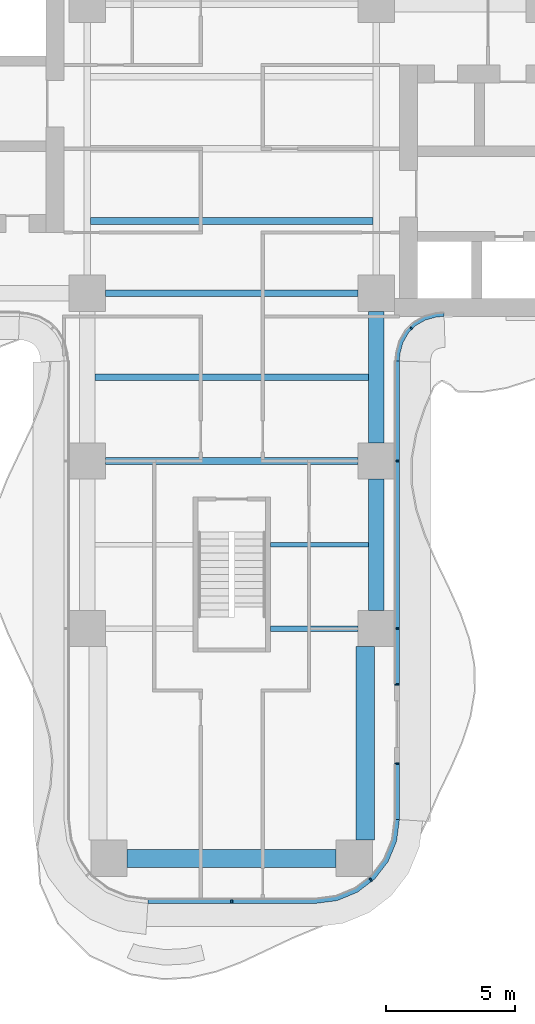
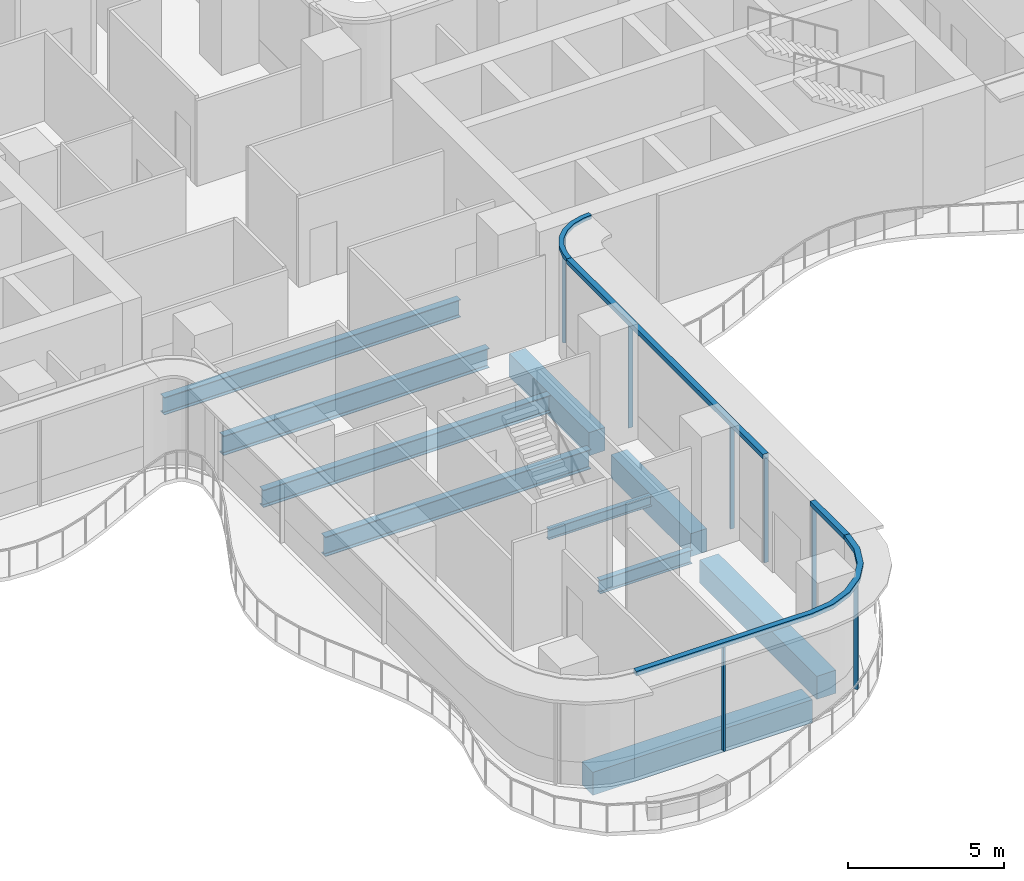
# One storey, part 5 of 22: 11 members, 10 beams, 4 elements without a shape of their own.
"""IFC4 building model written with IfcOpenShell, lengths in metres."""

from ifc_helpers import new_model, si_unit, direction, frame, origin, origin_2d, place, context, subcontext, project, spatial, polyline, rectangle, i_section, outline, extrude, source, transform, mapped, material, layer, layer_set, material_profile, profile_set, type_object, element, aggregate, save


model = new_model("IFC4")

# Units and contexts
model_context = context("Model", 3, precision=1e-05, world=origin(), true_north=direction((0.0, 1.0)))
body_context = subcontext(model_context, "Body", "Model", "MODEL_VIEW")
ifc_project = project(units=[si_unit("LENGTHUNIT", "METRE"), si_unit("AREAUNIT", "SQUARE_METRE"), si_unit("VOLUMEUNIT", "CUBIC_METRE"), si_unit("PLANEANGLEUNIT", "RADIAN"), si_unit("MASSUNIT", "GRAM", prefix="KILO")], contexts=[model_context])

# Site, building, storey
site_placement = place(None, origin())
site = spatial("IfcSite", under=ifc_project, at=site_placement, CompositionType="ELEMENT")
building_placement = place(site_placement, origin())
building = spatial("IfcBuilding", under=site, at=building_placement, Name="Trellis Farm Tower", CompositionType="ELEMENT")
storey_placement = place(building_placement, frame((0.0, 0.0, 70.0)))
storey = spatial("IfcBuildingStorey", under=building, at=storey_placement, Name="L14", CompositionType="ELEMENT", Elevation=70.0)

# Beams
ifc_material_1 = material(Name="Steel S355", Category="steel")
ifc_material_profile_1 = material_profile(ifc_material_1, i_section(OverallWidth=0.253662109375, OverallDepth=0.68359375, WebThickness=0.012451171875, FlangeThickness=0.021728515625, FilletRadius=0.01513671875, at=origin_2d()), Name="UB 686x254x140")
ifc_profile_set_1 = profile_set([ifc_material_profile_1], Name="Steel S355")
beam_type_1 = type_object("IfcBeamType", Name="UB 686x254x140 joist", PredefinedType="JOIST", material=ifc_profile_set_1)
shared_shape_1 = source(origin(), body_context, "Body", "SweptSolid", [
    extrude(i_section(OverallWidth=0.253662109375, OverallDepth=0.68359375, WebThickness=0.012451171875, FlangeThickness=0.021728515625, FilletRadius=0.01513671875, at=origin_2d()), origin(), (0.0, 0.0, 1.0), 10.93310546875),
])
beam_1_placement = place(storey_placement, frame((-5.466552734375, -2.800048828125, -0.591796875), z_axis=(1.0, 0.0, 0.0), x_axis=(0.0, 1.0, 0.0)))
element("IfcBeam", 1, at=beam_1_placement, inside=storey, type_object=beam_type_1, Name="Floor beam", PredefinedType="JOIST", context=body_context, shape_type="MappedRepresentation", body=[
    mapped(shared_shape_1, transform((0.0, 0.0, 0.0))),
])
ifc_material_profile_2 = material_profile(ifc_material_1, i_section(OverallWidth=0.209228515625, OverallDepth=0.533203125, WebThickness=0.010009765625, FlangeThickness=0.015625, FilletRadius=0.0126953125, at=origin_2d()), Name="UB 533x210x92")
ifc_profile_set_2 = profile_set([ifc_material_profile_2], Name="Steel S355")
beam_type_2 = type_object("IfcBeamType", Name="UB 533x210x92", PredefinedType="BEAM", material=ifc_profile_set_2)
shared_shape_2 = source(origin(), body_context, "Body", "SweptSolid", [
    extrude(i_section(OverallWidth=0.209228515625, OverallDepth=0.533203125, WebThickness=0.010009765625, FlangeThickness=0.015625, FilletRadius=0.0126953125, at=origin_2d()), origin(), (0.0, 0.0, 1.0), 3.39990234375),
])
beam_2_placement = place(storey_placement, frame((1.5, -18.60009765625, -0.5166015625), z_axis=(1.0, 0.0, 0.0), x_axis=(0.0, 1.0, 0.0)))
element("IfcBeam", 2, at=beam_2_placement, inside=storey, type_object=beam_type_2, Name="Girder", PredefinedType="BEAM", context=body_context, shape_type="MappedRepresentation", body=[
    mapped(shared_shape_2, transform((0.0, 0.0, 0.0))),
])
ifc_material_2 = material(Name="Concrete C60/75", Category="concrete")
ifc_material_profile_3 = material_profile(ifc_material_2, rectangle(XDim=0.60009765625, YDim=0.89990234375, at=origin_2d()), Name="RC spandrel beam 600x900 C60/75")
ifc_profile_set_3 = profile_set([ifc_material_profile_3], Name="Concrete C60/75")
beam_type_3 = type_object("IfcBeamType", Name="RC spandrel beam 600x900 C60/75", PredefinedType="SPANDREL", material=ifc_profile_set_3)
shared_shape_3 = source(origin(), body_context, "Body", "SweptSolid", [
    extrude(rectangle(XDim=0.60009765625, YDim=0.89990234375, at=origin_2d()), origin(), (0.0, 0.0, 1.0), 5.099853515625),
])
for number, where, z_axis, x_axis, name in (
    (3, (5.60009765625, -17.89990234375, -0.699951171875), (0.0, 1.0, 0.0), (-1.0, 0.0, 0.0), "Girder"),
    (4, (5.60009765625, -11.39990234375, -0.699951171875), (0.0, 1.0, 0.0), (-1.0, 0.0, 0.0), "Girder"),
):
    element("IfcBeam", number, at=place(storey_placement, frame(where, z_axis=z_axis, x_axis=x_axis)), inside=storey, type_object=beam_type_3, Name=name, PredefinedType="SPANDREL", context=body_context, shape_type="MappedRepresentation", body=[
        mapped(shared_shape_3, transform((0.0, 0.0, 0.0))),
    ])
ifc_material_profile_4 = material_profile(ifc_material_1, i_section(OverallWidth=0.2666015625, OverallDepth=0.76220703125, WebThickness=0.014404296875, FlangeThickness=0.021484375, FilletRadius=0.0166015625, at=origin_2d()), Name="UB 762x267x173")
ifc_profile_set_4 = profile_set([ifc_material_profile_4], Name="Steel S355")
beam_type_4 = type_object("IfcBeamType", Name="UB 762x267x173", PredefinedType="BEAM", material=ifc_profile_set_4)
shared_shape_4 = source(origin(), body_context, "Body", "SweptSolid", [
    extrude(i_section(OverallWidth=0.2666015625, OverallDepth=0.76220703125, WebThickness=0.014404296875, FlangeThickness=0.021484375, FilletRadius=0.0166015625, at=origin_2d()), origin(), (0.0, 0.0, 1.0), 9.7998046875),
])
for number, where, z_axis, x_axis, name in (
    (5, (-4.89990234375, -12.10009765625, -0.631103515625), (1.0, 0.0, 0.0), (0.0, 1.0, 0.0), "Girder"),
    (6, (-4.89990234375, -5.60009765625, -0.631103515625), (1.0, 0.0, 0.0), (0.0, 1.0, 0.0), "Girder"),
):
    element("IfcBeam", number, at=place(storey_placement, frame(where, z_axis=z_axis, x_axis=x_axis)), inside=storey, type_object=beam_type_4, Name=name, PredefinedType="BEAM", context=body_context, shape_type="MappedRepresentation", body=[
        mapped(shared_shape_4, transform((0.0, 0.0, 0.0))),
    ])
ifc_material_profile_5 = material_profile(ifc_material_2, rectangle(XDim=0.699951171875, YDim=0.89990234375, at=origin_2d()), Name="RC spandrel beam 700x900 C60/75")
ifc_profile_set_5 = profile_set([ifc_material_profile_5], Name="Concrete C60/75")
beam_type_5 = type_object("IfcBeamType", Name="RC spandrel beam 700x900 C60/75", PredefinedType="SPANDREL", material=ifc_profile_set_5)
shared_shape_5 = source(origin(), body_context, "Body", "SweptSolid", [
    extrude(rectangle(XDim=0.699951171875, YDim=0.89990234375, at=origin_2d()), origin(), (0.0, 0.0, 1.0), 8.10009765625),
])
beam_3_placement = place(storey_placement, frame((-4.050048828125, -27.5, -0.699951171875), z_axis=(1.0, 0.0, 0.0), x_axis=(0.0, 1.0, 0.0)))
element("IfcBeam", 7, at=beam_3_placement, inside=storey, type_object=beam_type_5, Name="Girder", PredefinedType="SPANDREL", context=body_context, shape_type="MappedRepresentation", body=[
    mapped(shared_shape_5, transform((0.0, 0.0, 0.0))),
])
shared_shape_6 = source(origin(), body_context, "Body", "SweptSolid", [
    extrude(rectangle(XDim=0.699951171875, YDim=0.89990234375, at=origin_2d()), origin(), (0.0, 0.0, 1.0), 7.5),
])
beam_4_placement = place(storey_placement, frame((5.175048828125, -26.800048828125, -0.699951171875), z_axis=(0.0, 1.0, 0.0), x_axis=(-1.0, 0.0, 0.0)))
element("IfcBeam", 8, at=beam_4_placement, inside=storey, type_object=beam_type_5, Name="Girder", PredefinedType="SPANDREL", context=body_context, shape_type="MappedRepresentation", body=[
    mapped(shared_shape_6, transform((0.0, 0.0, 0.0))),
])
ifc_material_profile_6 = material_profile(ifc_material_1, i_section(OverallWidth=0.177978515625, OverallDepth=0.406494140625, WebThickness=0.0078125, FlangeThickness=0.0126953125, FilletRadius=0.01025390625, at=origin_2d()), Name="UB 406x178x60")
ifc_profile_set_6 = profile_set([ifc_material_profile_6], Name="Steel S355")
beam_type_6 = type_object("IfcBeamType", Name="UB 406x178x60 joist", PredefinedType="JOIST", material=ifc_profile_set_6)
shared_shape_7 = source(origin(), body_context, "Body", "SweptSolid", [
    extrude(i_section(OverallWidth=0.177978515625, OverallDepth=0.406494140625, WebThickness=0.0078125, FlangeThickness=0.0126953125, FilletRadius=0.01025390625, at=origin_2d()), origin(), (0.0, 0.0, 1.0), 3.800048828125),
])
beam_5_placement = place(storey_placement, frame((1.5, -15.35009765625, -0.453125), z_axis=(1.0, 0.0, 0.0), x_axis=(0.0, 1.0, 0.0)))
element("IfcBeam", 9, at=beam_5_placement, inside=storey, type_object=beam_type_6, Name="Floor beam", PredefinedType="JOIST", context=body_context, shape_type="MappedRepresentation", body=[
    mapped(shared_shape_7, transform((0.0, 0.0, 0.0))),
])
shared_shape_8 = source(origin(), body_context, "Body", "SweptSolid", [
    extrude(i_section(OverallWidth=0.253662109375, OverallDepth=0.68359375, WebThickness=0.012451171875, FlangeThickness=0.021728515625, FilletRadius=0.01513671875, at=origin_2d()), origin(), (0.0, 0.0, 1.0), 10.60009765625),
])
beam_6_placement = place(storey_placement, frame((-5.300048828125, -8.85009765625, -0.591796875), z_axis=(1.0, 0.0, 0.0), x_axis=(0.0, 1.0, 0.0)))
element("IfcBeam", 10, at=beam_6_placement, inside=storey, type_object=beam_type_1, Name="Floor beam", PredefinedType="JOIST", context=body_context, shape_type="MappedRepresentation", body=[
    mapped(shared_shape_8, transform((0.0, 0.0, 0.0))),
])

# Curtain wall, members
ifc_material_3 = material(Name="Aluminium and glass curtain wall", Category="aluminium")
ifc_layer_1 = layer(ifc_material_3, 0.18994140625)
ifc_layer_set_1 = layer_set([ifc_layer_1], Name="RIBBON CURTAIN WALL CW1")
curtain_wall_type_1 = type_object("IfcCurtainWallType", Name="RIBBON CURTAIN WALL CW1", PredefinedType="NOTDEFINED", material=ifc_layer_set_1)
placement_1 = place(storey_placement, origin())
curtain_wall_1 = element("IfcCurtainWall", 11, at=placement_1, inside=storey, type_object=curtain_wall_type_1, Name="CW1 003", PredefinedType="NOTDEFINED")
ifc_material_4 = material(Name="Aluminium extrusion 6063-T6", Category="aluminium")
ifc_material_profile_7 = material_profile(ifc_material_4, rectangle(XDim=0.06005859375, YDim=0.14990234375, at=origin_2d()), Name="MULLION 60x150")
ifc_profile_set_7 = profile_set([ifc_material_profile_7], Name="Aluminium extrusion 6063-T6")
member_type_1 = type_object("IfcMemberType", Name="CW1 MULLION 60x150", PredefinedType="MULLION", material=ifc_profile_set_7)
shared_shape_9 = source(origin(), body_context, "Body", "SweptSolid", [
    extrude(rectangle(XDim=0.06005859375, YDim=0.14990234375, at=origin_2d()), origin(), (0.0, 0.0, 1.0), 4.070068359375),
])
member_1_placement = place(storey_placement, frame((0.0, -29.175048828125, 0.0), z_axis=(0.0, 0.0, 1.0), x_axis=(1.0, 0.0, 0.0)))
member_1 = element("IfcMember", 12, at=member_1_placement, type_object=member_type_1, Name="MU1 003-01", PredefinedType="MULLION", context=body_context, shape_type="MappedRepresentation", body=[
    mapped(shared_shape_9, transform((0.0, 0.0, 0.0))),
])
member_2_placement = place(storey_placement, frame((5.385498046875, -28.328369140625, 0.0), z_axis=(0.0, 0.0, 1.0), x_axis=(0.793353340291, 0.608761429009, 0.0)))
member_2 = element("IfcMember", 13, at=member_2_placement, type_object=member_type_1, Name="MU1 003-02", PredefinedType="MULLION", context=body_context, shape_type="MappedRepresentation", body=[
    mapped(shared_shape_9, transform((0.0, 0.0, 0.0))),
])

# Curtain wall, member
curtain_wall_2 = element("IfcCurtainWall", 14, at=placement_1, inside=storey, type_object=curtain_wall_type_1, Name="CW1 004", PredefinedType="NOTDEFINED")
member_3_placement = place(storey_placement, frame((6.425048828125, -23.830078125, 0.0), z_axis=(0.0, 0.0, 1.0), x_axis=(0.0, 1.0, 0.0)))
member_3 = element("IfcMember", 15, at=member_3_placement, type_object=member_type_1, Name="MU1 004-01", PredefinedType="MULLION", context=body_context, shape_type="MappedRepresentation", body=[
    mapped(shared_shape_9, transform((0.0, 0.0, 0.0))),
])

# Curtain wall, members
curtain_wall_3 = element("IfcCurtainWall", 16, at=placement_1, inside=storey, type_object=curtain_wall_type_1, Name="CW1 005", PredefinedType="NOTDEFINED")
member_4_placement = place(storey_placement, frame((6.425048828125, -20.77001953125, 0.0), z_axis=(0.0, 0.0, 1.0), x_axis=(0.0, 1.0, 0.0)))
member_4 = element("IfcMember", 17, at=member_4_placement, type_object=member_type_1, Name="MU1 005-01", PredefinedType="MULLION", context=body_context, shape_type="MappedRepresentation", body=[
    mapped(shared_shape_9, transform((0.0, 0.0, 0.0))),
])
member_5_placement = place(storey_placement, frame((6.425048828125, -18.60009765625, 0.0), z_axis=(0.0, 0.0, 1.0), x_axis=(0.0, 1.0, 0.0)))
member_5 = element("IfcMember", 18, at=member_5_placement, type_object=member_type_1, Name="MU1 005-02", PredefinedType="MULLION", context=body_context, shape_type="MappedRepresentation", body=[
    mapped(shared_shape_9, transform((0.0, 0.0, 0.0))),
])
member_6_placement = place(storey_placement, frame((6.425048828125, -12.10009765625, 0.0), z_axis=(0.0, 0.0, 1.0), x_axis=(0.0, 1.0, 0.0)))
member_6 = element("IfcMember", 19, at=member_6_placement, type_object=member_type_1, Name="MU1 005-03", PredefinedType="MULLION", context=body_context, shape_type="MappedRepresentation", body=[
    mapped(shared_shape_9, transform((0.0, 0.0, 0.0))),
])

# Curtain wall, member
ifc_layer_2 = layer(ifc_material_3, 0.166015625)
ifc_layer_set_2 = layer_set([ifc_layer_2], Name="WINTER GARDEN CURTAIN WALL CW3")
curtain_wall_type_2 = type_object("IfcCurtainWallType", Name="WINTER GARDEN CURTAIN WALL CW3", PredefinedType="NOTDEFINED", material=ifc_layer_set_2)
curtain_wall_4 = element("IfcCurtainWall", 20, at=placement_1, inside=storey, type_object=curtain_wall_type_2, Name="CW3 002", PredefinedType="NOTDEFINED")
ifc_material_profile_8 = material_profile(ifc_material_4, rectangle(XDim=0.050048828125, YDim=0.1201171875, at=origin_2d()), Name="MULLION 50x120")
ifc_profile_set_8 = profile_set([ifc_material_profile_8], Name="Aluminium extrusion 6063-T6")
member_type_2 = type_object("IfcMemberType", Name="CW3 MULLION 50x120", PredefinedType="MULLION", material=ifc_profile_set_8)
shared_shape_10 = source(origin(), body_context, "Body", "SweptSolid", [
    extrude(rectangle(XDim=0.050048828125, YDim=0.1201171875, at=origin_2d()), origin(), (0.0, 0.0, 1.0), 4.10009765625),
])
member_7_placement = place(storey_placement, frame((6.953125, -6.953125, 0.0), z_axis=(0.0, 0.0, 1.0), x_axis=(0.707106781187, 0.707106781187, 0.0)))
member_7 = element("IfcMember", 21, at=member_7_placement, type_object=member_type_2, Name="MU3 002-01", PredefinedType="MULLION", context=body_context, shape_type="MappedRepresentation", body=[
    mapped(shared_shape_10, transform((0.0, 0.0, 0.0))),
])

# Member
ifc_layer_3 = layer(ifc_material_4, 0.199951171875)
ifc_layer_set_3 = layer_set([ifc_layer_3], Name="Aluminium extrusion 6063-T6")
member_type_3 = type_object("IfcMemberType", Name="CW1 TRANSOM 200x180", PredefinedType="USERDEFINED", material=ifc_layer_set_3)
shared_shape_11 = source(origin(), body_context, "Body", "SweptSolid", [
    extrude(outline(polyline([(-3.25, -29.25), (3.25, -29.25), (4.091064453125, -29.13916015625), (4.875, -28.814697265625), (5.548095703125, -28.298095703125), (6.064697265625, -27.625), (6.38916015625, -26.841064453125), (6.5, -26.0), (6.300048828125, -25.98681640625), (6.1943359375, -26.7890625), (5.889892578125, -27.524169921875), (5.405517578125, -28.155517578125), (4.774169921875, -28.639892578125), (4.0390625, -28.9443359375), (3.23681640625, -29.050048828125), (-3.23681640625, -29.050048828125), (-3.25, -29.25)])), origin(), (0.0, 0.0, 1.0), 0.179931640625),
])
placement_2 = place(storey_placement, frame((0.0, 0.0, 4.070068359375)))
member_8 = element("IfcMember", 22, at=placement_2, type_object=member_type_3, Name="TR1 003", ObjectType="TRANSOM", PredefinedType="USERDEFINED", context=body_context, shape_type="MappedRepresentation", body=[
    mapped(shared_shape_11, transform((0.0, 0.0, 0.0))),
])

aggregate(curtain_wall_1, [member_1, member_2, member_8])

ifc_layer_4 = layer(ifc_material_4, 0.169921875)
ifc_layer_set_4 = layer_set([ifc_layer_4], Name="Aluminium extrusion 6063-T6")
member_type_4 = type_object("IfcMemberType", Name="CW3 TRANSOM 170x150", PredefinedType="USERDEFINED", material=ifc_layer_set_4)
shared_shape_12 = source(origin(), body_context, "Body", "SweptSolid", [
    extrude(outline(polyline([(6.5, -8.2314453125), (6.513916015625, -8.01953125), (6.527587890625, -7.91552734375), (6.63671875, -7.508544921875), (6.846923828125, -7.144287109375), (7.144287109375, -6.846923828125), (7.508544921875, -6.63671875), (7.91552734375, -6.527587890625), (8.01953125, -6.513916015625), (8.2314453125, -6.5), (8.225830078125, -6.330078125), (8.0029296875, -6.3447265625), (7.88232421875, -6.360595703125), (7.44287109375, -6.478271484375), (7.0400390625, -6.7109375), (6.7109375, -7.0400390625), (6.478271484375, -7.44287109375), (6.360595703125, -7.88232421875), (6.3447265625, -8.0029296875), (6.330078125, -8.225830078125), (6.5, -8.2314453125)])), origin(), (0.0, 0.0, 1.0), 0.14990234375),
])
member_9_placement = place(storey_placement, frame((0.0, 0.0, 4.10009765625)))
member_9 = element("IfcMember", 23, at=member_9_placement, type_object=member_type_4, Name="TR3 002", ObjectType="TRANSOM", PredefinedType="USERDEFINED", context=body_context, shape_type="MappedRepresentation", body=[
    mapped(shared_shape_12, transform((0.0, 0.0, 0.0))),
])

aggregate(curtain_wall_4, [member_7, member_9])

shared_shape_13 = source(origin(), body_context, "Body", "SweptSolid", [
    extrude(outline(polyline([(6.5, -26.0), (6.5, -23.800048828125), (6.300048828125, -23.800048828125), (6.300048828125, -25.98681640625), (6.5, -26.0)])), origin(), (0.0, 0.0, 1.0), 0.179931640625),
])
member_10 = element("IfcMember", 24, at=placement_2, type_object=member_type_3, Name="TR1 004", ObjectType="TRANSOM", PredefinedType="USERDEFINED", context=body_context, shape_type="MappedRepresentation", body=[
    mapped(shared_shape_13, transform((0.0, 0.0, 0.0))),
])

aggregate(curtain_wall_2, [member_3, member_10])

shared_shape_14 = source(origin(), body_context, "Body", "SweptSolid", [
    extrude(outline(polyline([(6.5, -20.800048828125), (6.5, -8.2314453125), (6.300048828125, -8.224853515625), (6.300048828125, -20.800048828125), (6.5, -20.800048828125)])), origin(), (0.0, 0.0, 1.0), 0.179931640625),
])
member_11 = element("IfcMember", 25, at=placement_2, type_object=member_type_3, Name="TR1 005", ObjectType="TRANSOM", PredefinedType="USERDEFINED", context=body_context, shape_type="MappedRepresentation", body=[
    mapped(shared_shape_14, transform((0.0, 0.0, 0.0))),
])

aggregate(curtain_wall_3, [member_4, member_5, member_6, member_11])

save(model, "model.ifc")
